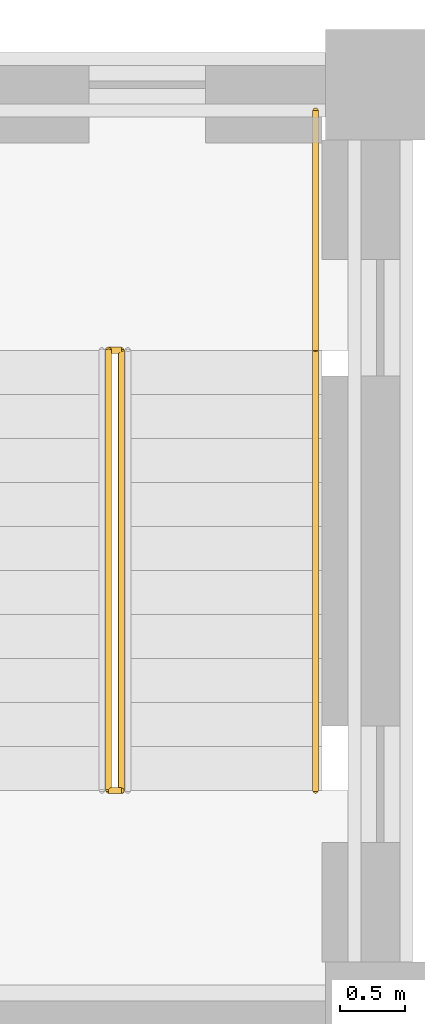
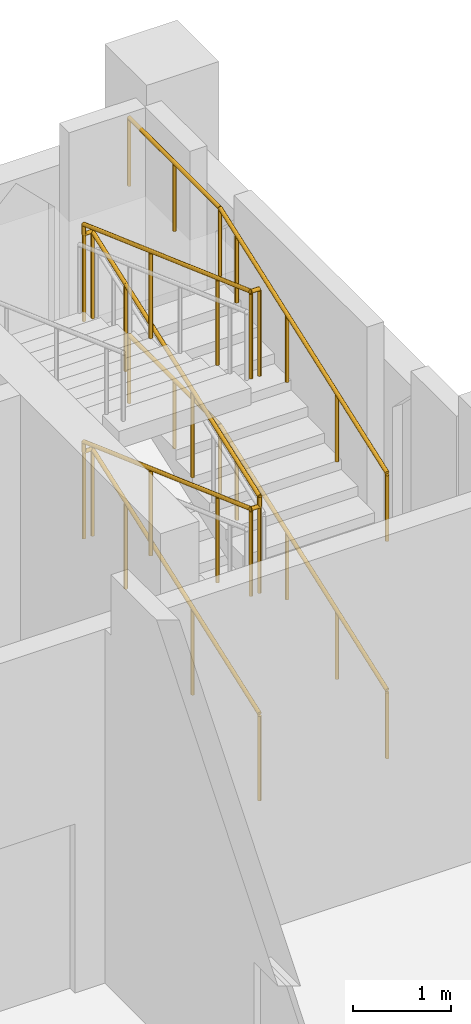
# One storey, part 48 of 48: 3 railings.
"""IFC4 building model written with IfcOpenShell, lengths in metres."""

from ifc_helpers import new_model, si_unit, direction, frame, origin, origin_2d, place, context, subcontext, project, spatial, circle, extrude, material, type_object, element, save


model = new_model("IFC4")

# Units and contexts
model_context = context("Model", 3, precision=1e-05, world=origin(), true_north=direction((0.0, 1.0)))
body_context = subcontext(model_context, "Body", "Model", "MODEL_VIEW")
ifc_project = project(units=[si_unit("LENGTHUNIT", "METRE"), si_unit("AREAUNIT", "SQUARE_METRE"), si_unit("VOLUMEUNIT", "CUBIC_METRE"), si_unit("PLANEANGLEUNIT", "RADIAN"), si_unit("MASSUNIT", "GRAM", prefix="KILO")], contexts=[model_context])

# Site, building, storey
site_placement = place(None, origin())
site = spatial("IfcSite", under=ifc_project, at=site_placement, CompositionType="ELEMENT")
building_placement = place(site_placement, origin())
building = spatial("IfcBuilding", under=site, at=building_placement, Name="Silangan Lancet Faculty of Sciences", CompositionType="ELEMENT")
storey_placement = place(building_placement, frame((0.0, 0.0, 6.0)))
storey = spatial("IfcBuildingStorey", under=building, at=storey_placement, Name="L01", CompositionType="ELEMENT", Elevation=6.0)

# Railings
ifc_material_1 = material(Name="Steel balustrade", Category="steel")
railing_type_1 = type_object("IfcRailingType", Name="STAIR GUARD 1100", PredefinedType="GUARDRAIL", material=ifc_material_1)
railing_1_placement = place(storey_placement, frame((84.39990234375, 52.14990234375, 0.122802734375)))
element("IfcRailing", 1, at=railing_1_placement, inside=storey, type_object=railing_type_1, Name="GUARD-EB-B-L01", PredefinedType="GUARDRAIL", context=body_context, shape_type="SweptSolid", body=[
    extrude(circle(Radius=0.02392578125, at=origin_2d()), frame((0.0, 0.0, 1.076171875), z_axis=(0.0, 0.940621302891, 0.339457750756), x_axis=(-1.0, 0.0, 0.0)), (0.0, 0.0, 1.0), 2.891845703125),
    extrude(circle(Radius=0.02392578125, at=origin_2d()), frame((0.0, 2.72021484375, 2.0576171875), z_axis=(0.0, 0.940520931127, 0.339735747474), x_axis=(-1.0, 0.0, 0.0)), (0.0, 0.0, 1.0), 0.722900390625),
    extrude(circle(Radius=0.02392578125, at=origin_2d()), frame((0.0, 3.400146484375, 2.30322265625), z_axis=(-1.0, 0.0, 0.0), x_axis=(0.0, -1.0, 0.0)), (0.0, 0.0, 1.0), 0.099853515625),
    extrude(circle(Radius=0.02392578125, at=origin_2d()), frame((-0.099853515625, 3.400146484375, 2.30322265625), z_axis=(0.0, 0.0, 1.0), x_axis=(1.0, 0.0, 0.0)), (0.0, 0.0, 1.0), 0.12255859375),
    extrude(circle(Radius=0.02392578125, at=origin_2d()), frame((-0.099853515625, 3.400146484375, 2.42578125), z_axis=(0.0, -0.940584611748, 0.339559402967), x_axis=(1.0, 0.0, 0.0)), (0.0, 0.0, 1.0), 2.891845703125),
    extrude(circle(Radius=0.02392578125, at=origin_2d()), frame((-0.099853515625, 0.68017578125, 3.40771484375), z_axis=(0.0, -0.940667699839, 0.33932915949), x_axis=(1.0, 0.0, 0.0)), (0.0, 0.0, 1.0), 0.72314453125),
    extrude(circle(Radius=0.02392578125, at=origin_2d()), frame((-0.099853515625, 0.0, 3.6533203125), z_axis=(1.0, 0.0, 0.0), x_axis=(0.0, 1.0, 0.0)), (0.0, 0.0, 1.0), 0.099853515625),
    extrude(circle(Radius=0.02392578125, at=origin_2d()), frame((0.0, 0.0, 3.6533203125), z_axis=(0.0, 0.0, 1.0), x_axis=(1.0, 0.0, 0.0)), (0.0, 0.0, 1.0), 0.122802734375),
    extrude(circle(Radius=0.02392578125, at=origin_2d()), frame((0.0, 0.0, 3.77587890625), z_axis=(0.0, 0.940621302891, 0.339457750756), x_axis=(-1.0, 0.0, 0.0)), (0.0, 0.0, 1.0), 2.891845703125),
    extrude(circle(Radius=0.02392578125, at=origin_2d()), frame((0.0, 2.72021484375, 4.7578125), z_axis=(0.0, 0.940520931127, 0.339735747474), x_axis=(-1.0, 0.0, 0.0)), (0.0, 0.0, 1.0), 0.722900390625),
    extrude(circle(Radius=0.02392578125, at=origin_2d()), frame((0.0, 3.400146484375, 5.00341796875), z_axis=(-1.0, 0.0, 0.0), x_axis=(0.0, -1.0, 0.0)), (0.0, 0.0, 1.0), 0.099853515625),
    extrude(circle(Radius=0.02392578125, at=origin_2d()), frame((-0.099853515625, 3.400146484375, 5.00341796875), z_axis=(0.0, 0.0, 1.0), x_axis=(1.0, 0.0, 0.0)), (0.0, 0.0, 1.0), 0.12255859375),
    extrude(circle(Radius=0.02392578125, at=origin_2d()), frame((-0.099853515625, 3.400146484375, 5.1259765625), z_axis=(0.0, -0.940584611748, 0.339559402967), x_axis=(1.0, 0.0, 0.0)), (0.0, 0.0, 1.0), 2.891845703125),
    extrude(circle(Radius=0.02392578125, at=origin_2d()), frame((-0.099853515625, 0.68017578125, 6.10791015625), z_axis=(0.0, -0.940667699839, 0.33932915949), x_axis=(1.0, 0.0, 0.0)), (0.0, 0.0, 1.0), 0.72314453125),
    extrude(circle(Radius=0.02392578125, at=origin_2d()), frame((-0.099853515625, 0.0, 6.35302734375), z_axis=(1.0, 0.0, 0.0), x_axis=(0.0, 1.0, 0.0)), (0.0, 0.0, 1.0), 0.099853515625),
    extrude(circle(Radius=0.02099609375, at=origin_2d()), origin(), (0.0, 0.0, 1.0), 1.052001953125),
    extrude(circle(Radius=0.02099609375, at=origin_2d()), frame((0.0, 1.360107421875, 0.49072265625)), (0.0, 0.0, 1.0), 1.052001953125),
    extrude(circle(Radius=0.02099609375, at=origin_2d()), frame((0.0, 2.72021484375, 0.981689453125)), (0.0, 0.0, 1.0), 1.052001953125),
    extrude(circle(Radius=0.02099609375, at=origin_2d()), frame((0.0, 3.400146484375, 1.227294921875)), (0.0, 0.0, 1.0), 1.052001953125),
    extrude(circle(Radius=0.02099609375, at=origin_2d()), frame((-0.099853515625, 3.400146484375, 1.227294921875)), (0.0, 0.0, 1.0), 1.052001953125),
    extrude(circle(Radius=0.02099609375, at=origin_2d()), frame((-0.099853515625, 3.400146484375, 1.349853515625)), (0.0, 0.0, 1.0), 1.052001953125),
    extrude(circle(Radius=0.02099609375, at=origin_2d()), frame((-0.099853515625, 2.0400390625, 1.8408203125)), (0.0, 0.0, 1.0), 1.052001953125),
    extrude(circle(Radius=0.02099609375, at=origin_2d()), frame((-0.099853515625, 0.68017578125, 2.331787109375)), (0.0, 0.0, 1.0), 1.052001953125),
    extrude(circle(Radius=0.02099609375, at=origin_2d()), frame((-0.099853515625, 0.0, 2.5771484375)), (0.0, 0.0, 1.0), 1.052001953125),
    extrude(circle(Radius=0.02099609375, at=origin_2d()), frame((0.0, 0.0, 2.5771484375)), (0.0, 0.0, 1.0), 1.052001953125),
    extrude(circle(Radius=0.02099609375, at=origin_2d()), frame((0.0, 0.0, 2.699951171875)), (0.0, 0.0, 1.0), 1.052001953125),
    extrude(circle(Radius=0.02099609375, at=origin_2d()), frame((0.0, 1.360107421875, 3.19091796875)), (0.0, 0.0, 1.0), 1.052001953125),
    extrude(circle(Radius=0.02099609375, at=origin_2d()), frame((0.0, 2.72021484375, 3.681640625)), (0.0, 0.0, 1.0), 1.052001953125),
    extrude(circle(Radius=0.02099609375, at=origin_2d()), frame((0.0, 3.400146484375, 3.92724609375)), (0.0, 0.0, 1.0), 1.052001953125),
    extrude(circle(Radius=0.02099609375, at=origin_2d()), frame((-0.099853515625, 3.400146484375, 3.92724609375)), (0.0, 0.0, 1.0), 1.052001953125),
    extrude(circle(Radius=0.02099609375, at=origin_2d()), frame((-0.099853515625, 3.400146484375, 4.0498046875)), (0.0, 0.0, 1.0), 1.052001953125),
    extrude(circle(Radius=0.02099609375, at=origin_2d()), frame((-0.099853515625, 2.0400390625, 4.540771484375)), (0.0, 0.0, 1.0), 1.052001953125),
    extrude(circle(Radius=0.02099609375, at=origin_2d()), frame((-0.099853515625, 0.68017578125, 5.03173828125)), (0.0, 0.0, 1.0), 1.052001953125),
    extrude(circle(Radius=0.02099609375, at=origin_2d()), frame((-0.099853515625, 0.0, 5.277099609375)), (0.0, 0.0, 1.0), 1.052001953125),
    extrude(circle(Radius=0.02099609375, at=origin_2d()), frame((0.0, 0.0, 5.277099609375)), (0.0, 0.0, 1.0), 1.052001953125),
])
ifc_material_2 = material(Name="Stainless steel", Category="steel")
railing_type_2 = type_object("IfcRailingType", Name="STAIR HANDRAIL 865", PredefinedType="HANDRAIL", material=ifc_material_2)
railing_2_placement = place(storey_placement, frame((85.89990234375, 52.14990234375, 0.122802734375)))
element("IfcRailing", 2, at=railing_2_placement, inside=storey, type_object=railing_type_2, Name="HANDRAIL-EB-B-L01-O1", PredefinedType="HANDRAIL", context=body_context, shape_type="SweptSolid", body=[
    extrude(circle(Radius=0.02392578125, at=origin_2d()), frame((0.0, 0.0, 0.8408203125), z_axis=(0.0, 0.94060583065, 0.339500620541), x_axis=(-1.0, 0.0, 0.0)), (0.0, 0.0, 1.0), 1.08447265625),
    extrude(circle(Radius=0.02392578125, at=origin_2d()), frame((0.0, 1.02001953125, 1.208984375), z_axis=(0.0, 0.94060583065, 0.339500620541), x_axis=(-1.0, 0.0, 0.0)), (0.0, 0.0, 1.0), 1.08447265625),
    extrude(circle(Radius=0.02392578125, at=origin_2d()), frame((0.0, 2.0400390625, 1.5771484375), z_axis=(0.0, 0.94060583065, 0.339500620541), x_axis=(-1.0, 0.0, 0.0)), (0.0, 0.0, 1.0), 1.08447265625),
    extrude(circle(Radius=0.02392578125, at=origin_2d()), frame((0.0, 3.06005859375, 1.9453125), z_axis=(0.0, 0.940559891121, 0.339627871668), x_axis=(-1.0, 0.0, 0.0)), (0.0, 0.0, 1.0), 0.361572265625),
    extrude(circle(Radius=0.02392578125, at=origin_2d()), frame((0.0, 3.400146484375, 2.068359375), z_axis=(0.0, 1.0, 0.0), x_axis=(-1.0, 0.0, 0.0)), (0.0, 0.0, 1.0), 1.849853515625),
    extrude(circle(Radius=0.02099609375, at=origin_2d()), origin(), (0.0, 0.0, 1.0), 0.81689453125),
    extrude(circle(Radius=0.02099609375, at=origin_2d()), frame((0.0, 1.02001953125, 0.3681640625)), (0.0, 0.0, 1.0), 0.81689453125),
    extrude(circle(Radius=0.02099609375, at=origin_2d()), frame((0.0, 2.0400390625, 0.736328125)), (0.0, 0.0, 1.0), 0.81689453125),
    extrude(circle(Radius=0.02099609375, at=origin_2d()), frame((0.0, 3.06005859375, 1.1044921875)), (0.0, 0.0, 1.0), 0.81689453125),
    extrude(circle(Radius=0.02099609375, at=origin_2d()), frame((0.0, 3.400146484375, 1.227294921875)), (0.0, 0.0, 1.0), 0.81689453125),
    extrude(circle(Radius=0.02099609375, at=origin_2d()), frame((0.0, 4.3251953125, 1.227294921875)), (0.0, 0.0, 1.0), 0.81689453125),
    extrude(circle(Radius=0.02099609375, at=origin_2d()), frame((0.0, 5.25, 1.227294921875)), (0.0, 0.0, 1.0), 0.81689453125),
])
railing_3_placement = place(storey_placement, frame((85.89990234375, 52.14990234375, 2.82275390625)))
element("IfcRailing", 3, at=railing_3_placement, inside=storey, type_object=railing_type_2, Name="HANDRAIL-EB-B-L01-O3", PredefinedType="HANDRAIL", context=body_context, shape_type="SweptSolid", body=[
    extrude(circle(Radius=0.02392578125, at=origin_2d()), frame((0.0, 0.0, 0.8408203125), z_axis=(0.0, 0.94060583065, 0.339500620541), x_axis=(-1.0, 0.0, 0.0)), (0.0, 0.0, 1.0), 1.08447265625),
    extrude(circle(Radius=0.02392578125, at=origin_2d()), frame((0.0, 1.02001953125, 1.208984375), z_axis=(0.0, 0.94060583065, 0.339500620541), x_axis=(-1.0, 0.0, 0.0)), (0.0, 0.0, 1.0), 1.08447265625),
    extrude(circle(Radius=0.02392578125, at=origin_2d()), frame((0.0, 2.0400390625, 1.5771484375), z_axis=(0.0, 0.94060583065, 0.339500620541), x_axis=(-1.0, 0.0, 0.0)), (0.0, 0.0, 1.0), 1.08447265625),
    extrude(circle(Radius=0.02392578125, at=origin_2d()), frame((0.0, 3.06005859375, 1.9453125), z_axis=(0.0, 0.940559891121, 0.339627871668), x_axis=(-1.0, 0.0, 0.0)), (0.0, 0.0, 1.0), 0.361572265625),
    extrude(circle(Radius=0.02392578125, at=origin_2d()), frame((0.0, 3.400146484375, 2.068359375), z_axis=(0.0, 1.0, 0.0), x_axis=(-1.0, 0.0, 0.0)), (0.0, 0.0, 1.0), 1.849853515625),
    extrude(circle(Radius=0.02099609375, at=origin_2d()), origin(), (0.0, 0.0, 1.0), 0.81689453125),
    extrude(circle(Radius=0.02099609375, at=origin_2d()), frame((0.0, 1.02001953125, 0.3681640625)), (0.0, 0.0, 1.0), 0.81689453125),
    extrude(circle(Radius=0.02099609375, at=origin_2d()), frame((0.0, 2.0400390625, 0.736328125)), (0.0, 0.0, 1.0), 0.81689453125),
    extrude(circle(Radius=0.02099609375, at=origin_2d()), frame((0.0, 3.06005859375, 1.1044921875)), (0.0, 0.0, 1.0), 0.81689453125),
    extrude(circle(Radius=0.02099609375, at=origin_2d()), frame((0.0, 3.400146484375, 1.227294921875)), (0.0, 0.0, 1.0), 0.81689453125),
    extrude(circle(Radius=0.02099609375, at=origin_2d()), frame((0.0, 4.3251953125, 1.227294921875)), (0.0, 0.0, 1.0), 0.81689453125),
    extrude(circle(Radius=0.02099609375, at=origin_2d()), frame((0.0, 5.25, 1.227294921875)), (0.0, 0.0, 1.0), 0.81689453125),
])

save(model, "model.ifc")
